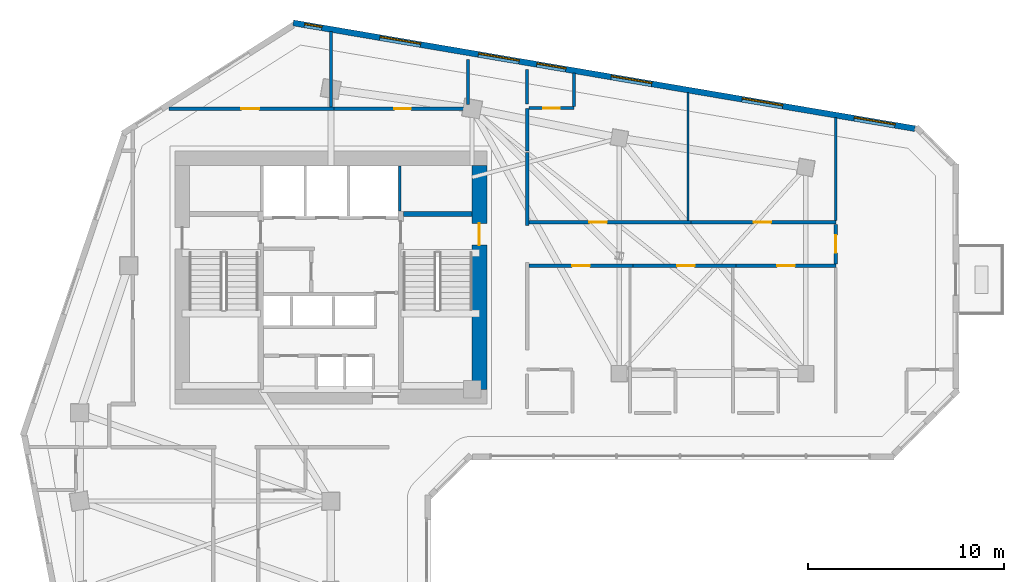
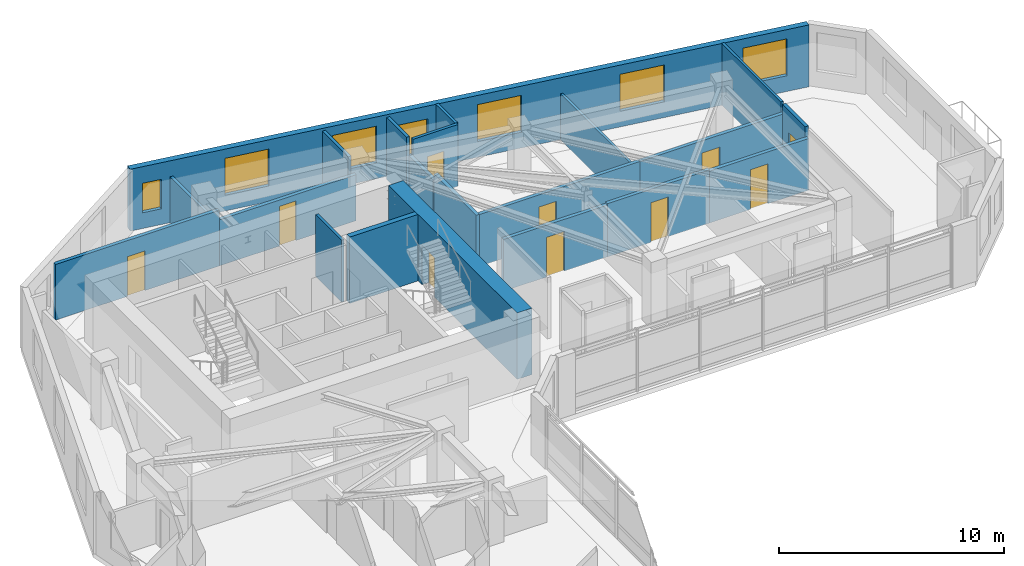
# One storey, part 8 of 14: 21 walls, 10 doors, 7 windows, 17 openings.
"""IFC4 building model written with IfcOpenShell, lengths in metres."""

from ifc_helpers import new_model, si_unit, direction, frame, frame_2d, origin, place, context, subcontext, project, spatial, rectangle, extrude, source, transform, mapped, material, layer, layer_set, type_object, element, fill, save


model = new_model("IFC4")

# Units and contexts
model_context = context("Model", 3, precision=1e-05, world=origin(), true_north=direction((0.0, 1.0)))
body_context = subcontext(model_context, "Body", "Model", "MODEL_VIEW")
ifc_project = project(units=[si_unit("LENGTHUNIT", "METRE"), si_unit("AREAUNIT", "SQUARE_METRE"), si_unit("VOLUMEUNIT", "CUBIC_METRE"), si_unit("PLANEANGLEUNIT", "RADIAN"), si_unit("MASSUNIT", "GRAM", prefix="KILO")], contexts=[model_context])

# Site, building, storey
site_placement = place(None, origin())
site = spatial("IfcSite", under=ifc_project, at=site_placement, CompositionType="ELEMENT")
building_placement = place(site_placement, origin())
building = spatial("IfcBuilding", under=site, at=building_placement, Name="Calvemar Wedge Station Tower", CompositionType="ELEMENT")
storey_placement = place(building_placement, frame((0.0, 0.0, 128.60009765625)))
storey = spatial("IfcBuildingStorey", under=building, at=storey_placement, Name="L31", CompositionType="ELEMENT", Elevation=128.60009765625)

# Wall
ifc_material_1 = material(Name="Concrete C50", Category="concrete")
ifc_layer_1 = layer(ifc_material_1, 0.260009765625)
ifc_layer_set_1 = layer_set([ifc_layer_1], Name="Concrete C50")
wall_type_1 = type_object("IfcWallType", Name="SW-CORE-260", PredefinedType="SHEAR", material=ifc_layer_set_1)
wall_1_placement = place(storey_placement, frame((27.5, 43.1298828125, 0.0), z_axis=(0.0, 0.0, 1.0), x_axis=(1.0, 0.0, 0.0)))
element("IfcWall", 1, at=wall_1_placement, inside=storey, type_object=wall_type_1, Name="Storey L31 Core Shear Wall STC2-N", PredefinedType="SHEAR", context=body_context, shape_type="SweptSolid", body=[
    extrude(rectangle(XDim=3.5, YDim=0.260009765625, at=frame_2d((1.75, 0.0))), origin(), (0.0, 0.0, 1.0), 3.599853515625),
])

# Wall, opening, door
ifc_material_2 = material(Name="Concrete C70", Category="concrete")
ifc_layer_2 = layer(ifc_material_2, 0.75)
ifc_layer_set_2 = layer_set([ifc_layer_2], Name="Concrete C70")
wall_type_2 = type_object("IfcWallType", Name="SW-CORE-750", PredefinedType="SHEAR", material=ifc_layer_set_2)
wall_2_placement = place(storey_placement, frame((31.375, 34.199951171875, 0.0), z_axis=(0.0, 0.0, 1.0), x_axis=(0.0, 1.0, 0.0)))
wall_2 = element("IfcWall", 2, at=wall_2_placement, inside=storey, type_object=wall_type_2, Name="Storey L31 Core Shear Wall E", PredefinedType="SHEAR", context=body_context, shape_type="SweptSolid", body=[
    extrude(rectangle(XDim=11.400146484375, YDim=0.75, at=frame_2d((5.7001953125, 0.0))), origin(), (0.0, 0.0, 1.0), 3.599853515625),
])
shared_shape_1 = source(origin(), body_context, "Body", "SweptSolid", [
    extrude(rectangle(XDim=1.10009765625, YDim=2.14990234375, at=frame_2d((0.550048828125, 1.074951171875))), frame((0.0, 0.385009765625, 0.0), z_axis=(0.0, -1.0, 0.0), x_axis=(1.0, 0.0, 0.0)), (0.0, 0.0, 1.0), 0.77001953125),
])
opening_1_placement = place(wall_2_placement, frame((7.35009765625, 0.0, 0.0)))
opening_1 = element("IfcOpeningElement", 3, at=opening_1_placement, cuts=wall_2, Name="Opening FD-90", PredefinedType="OPENING", context=body_context, shape_type="MappedRepresentation", body=[
    mapped(shared_shape_1, transform((0.0, 0.0, 0.0), scale=1.0)),
])
ifc_material_3 = material(Name="Galvanized fire-rated steel door leaf P-90", Category="steel")
door_type_1 = type_object("IfcDoorType", Name="DR-FD90-1100", OperationType="NOTDEFINED", PredefinedType="DOOR", material=ifc_material_3)
shared_shape_2 = source(origin(), body_context, "Body", "SweptSolid", [
    extrude(rectangle(XDim=1.10009765625, YDim=2.14990234375, at=frame_2d((0.550048828125, 1.074951171875))), frame((0.0, 0.02490234375, 0.0), z_axis=(0.0, -1.0, 0.0), x_axis=(1.0, 0.0, 0.0)), (0.0, 0.0, 1.0), 0.050048828125),
])
door_1_placement = place(opening_1_placement, origin())
door_1 = element("IfcDoor", 4, at=door_1_placement, inside=storey, type_object=door_type_1, Name="L31 East Corridor to Exit Stair ST-C2 Door", OperationType="SINGLE_SWING_LEFT", OverallHeight=2.14990234375, OverallWidth=1.10009765625, PredefinedType="DOOR", context=body_context, shape_type="MappedRepresentation", body=[
    mapped(shared_shape_2, transform((0.0, 0.0, 0.0), scale=1.0)),
])
fill(opening_1, door_1)

ifc_material_4 = material(Name="Double-stud fire-rated corridor partition")
ifc_layer_3 = layer(ifc_material_4, 0.179931640625)
ifc_layer_set_3 = layer_set([ifc_layer_3], Name="Double-stud fire-rated corridor partition")
wall_type_3 = type_object("IfcWallType", Name="W-CORR-180", PredefinedType="PARTITIONING", material=ifc_layer_set_3)
wall_3_placement = place(storey_placement, frame((15.552490234375, 48.5, 0.0), z_axis=(0.0, 0.0, 1.0), x_axis=(1.0, 0.0, 0.0)))
wall_3 = element("IfcWall", 5, at=wall_3_placement, inside=storey, type_object=wall_type_3, Name="Storey L31 Interior Partition WL-L31-012", PredefinedType="PARTITIONING", context=body_context, shape_type="SweptSolid", body=[
    extrude(rectangle(XDim=8.407470703125, YDim=0.179931640625, at=frame_2d((4.20361328125, 0.0))), origin(), (0.0, 0.0, 1.0), 3.018798828125),
])
shared_shape_3 = source(origin(), body_context, "Body", "SweptSolid", [
    extrude(rectangle(XDim=0.89990234375, YDim=2.14990234375, at=frame_2d((0.449951171875, 1.074951171875))), frame((0.0, 0.10009765625, 0.0), z_axis=(0.0, -1.0, 0.0), x_axis=(1.0, 0.0, 0.0)), (0.0, 0.0, 1.0), 0.199951171875),
])
opening_2_placement = place(wall_3_placement, frame((3.69287109375, 0.0, 0.0)))
opening_2 = element("IfcOpeningElement", 6, at=opening_2_placement, cuts=wall_3, Name="Opening D-01", PredefinedType="OPENING", context=body_context, shape_type="MappedRepresentation", body=[
    mapped(shared_shape_3, transform((0.0, 0.0, 0.0), scale=1.0)),
])
ifc_material_5 = material(Name="Architectural hardwood acoustic swing door", Category="wood")
door_type_2 = type_object("IfcDoorType", Name="DR-INT-900", OperationType="NOTDEFINED", PredefinedType="DOOR", material=ifc_material_5)
shared_shape_4 = source(origin(), body_context, "Body", "SweptSolid", [
    extrude(rectangle(XDim=0.89990234375, YDim=2.14990234375, at=frame_2d((0.449951171875, 1.074951171875))), frame((0.0, 0.02490234375, 0.0), z_axis=(0.0, -1.0, 0.0), x_axis=(1.0, 0.0, 0.0)), (0.0, 0.0, 1.0), 0.050048828125),
])
door_2_placement = place(opening_2_placement, origin())
door_2 = element("IfcDoor", 7, at=door_2_placement, inside=storey, type_object=door_type_2, Name="L31 Business Centre Door", OperationType="SINGLE_SWING_RIGHT", OverallHeight=2.14990234375, OverallWidth=0.89990234375, PredefinedType="DOOR", context=body_context, shape_type="MappedRepresentation", body=[
    mapped(shared_shape_4, transform((0.0, 0.0, 0.0), scale=1.0)),
])
fill(opening_2, door_2)

wall_4_placement = place(storey_placement, frame((23.9619140625, 48.5, 0.0), z_axis=(0.0, 0.0, 1.0), x_axis=(1.0, 0.0, 0.0)))
wall_4 = element("IfcWall", 8, at=wall_4_placement, inside=storey, type_object=wall_type_3, Name="Storey L31 Interior Partition WL-L31-013", PredefinedType="PARTITIONING", context=body_context, shape_type="SweptSolid", body=[
    extrude(rectangle(XDim=6.998046875, YDim=0.179931640625, at=frame_2d((3.4990234375, 0.0))), origin(), (0.0, 0.0, 1.0), 2.491943359375),
])
shared_shape_5 = source(origin(), body_context, "Body", "SweptSolid", [
    extrude(rectangle(XDim=0.85009765625, YDim=2.14990234375, at=frame_2d((0.425048828125, 1.074951171875))), frame((0.0, 0.10009765625, 0.0), z_axis=(0.0, -1.0, 0.0), x_axis=(1.0, 0.0, 0.0)), (0.0, 0.0, 1.0), 0.199951171875),
])
opening_3_placement = place(wall_4_placement, frame((3.073974609375, 0.0, 0.0)))
opening_3 = element("IfcOpeningElement", 9, at=opening_3_placement, cuts=wall_4, Name="Opening D-02", PredefinedType="OPENING", context=body_context, shape_type="MappedRepresentation", body=[
    mapped(shared_shape_5, transform((0.0, 0.0, 0.0), scale=1.0)),
])
ifc_material_6 = material(Name="Moisture-sealed bathroom hardwood swing door", Category="wood")
door_type_3 = type_object("IfcDoorType", Name="DR-WET-850", OperationType="NOTDEFINED", PredefinedType="DOOR", material=ifc_material_6)
shared_shape_6 = source(origin(), body_context, "Body", "SweptSolid", [
    extrude(rectangle(XDim=0.85009765625, YDim=2.14990234375, at=frame_2d((0.425048828125, 1.074951171875))), frame((0.0, 0.02490234375, 0.0), z_axis=(0.0, -1.0, 0.0), x_axis=(1.0, 0.0, 0.0)), (0.0, 0.0, 1.0), 0.050048828125),
])
door_3_placement = place(opening_3_placement, origin())
door_3 = element("IfcDoor", 10, at=door_3_placement, inside=storey, type_object=door_type_3, Name="L31 Accessible WC Door", OperationType="SINGLE_SWING_LEFT", OverallHeight=2.14990234375, OverallWidth=0.85009765625, PredefinedType="DOOR", context=body_context, shape_type="MappedRepresentation", body=[
    mapped(shared_shape_6, transform((0.0, 0.0, 0.0), scale=1.0)),
])
fill(opening_3, door_3)

# Walls
wall_5_placement = place(storey_placement, frame((33.800048828125, 48.5, 0.0), z_axis=(0.0, 0.0, 1.0), x_axis=(0.0, -1.0, 0.0)))
element("IfcWall", 11, at=wall_5_placement, inside=storey, type_object=wall_type_3, Name="Storey L31 Interior Partition WL-L31-014", PredefinedType="PARTITIONING", context=body_context, shape_type="SweptSolid", body=[
    extrude(rectangle(XDim=2.14990234375, YDim=0.179931640625, at=frame_2d((1.074951171875, 0.0))), origin(), (0.0, 0.0, 1.0), 2.491943359375),
])
wall_6_placement = place(storey_placement, frame((33.800048828125, 46.256103515625, 0.0), z_axis=(0.0, 0.0, 1.0), x_axis=(0.0, -1.0, 0.0)))
element("IfcWall", 12, at=wall_6_placement, inside=storey, type_object=wall_type_3, Name="Storey L31 Interior Partition WL-L31-016", PredefinedType="PARTITIONING", context=body_context, shape_type="SweptSolid", body=[
    extrude(rectangle(XDim=3.716064453125, YDim=0.179931640625, at=frame_2d((1.85791015625, 0.0))), origin(), (0.0, 0.0, 1.0), 2.87890625),
])

# Wall, opening, door
wall_7_placement = place(storey_placement, frame((39.205078125, 40.5, 0.0), z_axis=(0.0, 0.0, 1.0), x_axis=(-1.0, 0.0, 0.0)))
wall_7 = element("IfcWall", 13, at=wall_7_placement, inside=storey, type_object=wall_type_3, Name="Storey L31 Interior Partition WL-L31-020", PredefinedType="PARTITIONING", context=body_context, shape_type="SweptSolid", body=[
    extrude(rectangle(XDim=5.31103515625, YDim=0.179931640625, at=frame_2d((2.655517578125, 0.0))), origin(), (0.0, 0.0, 1.0), 2.802978515625),
])
opening_4_placement = place(wall_7_placement, frame((2.20556640625, 0.0, 0.0)))
opening_4 = element("IfcOpeningElement", 14, at=opening_4_placement, cuts=wall_7, Name="Opening FD-60", PredefinedType="OPENING", context=body_context, shape_type="MappedRepresentation", body=[
    mapped(shared_shape_3, transform((0.0, 0.0, 0.0), scale=1.0)),
])
ifc_material_7 = material(Name="Fire-rated acoustic timber-core entrance door EI 60", Category="wood")
door_type_4 = type_object("IfcDoorType", Name="DR-FD60-900", OperationType="NOTDEFINED", PredefinedType="DOOR", material=ifc_material_7)
shared_shape_7 = source(origin(), body_context, "Body", "SweptSolid", [
    extrude(rectangle(XDim=0.89990234375, YDim=2.14990234375, at=frame_2d((0.449951171875, 1.074951171875))), frame((0.0, 0.02490234375, 0.0), z_axis=(0.0, -1.0, 0.0), x_axis=(1.0, 0.0, 0.0)), (0.0, 0.0, 1.0), 0.050048828125),
])
door_4_placement = place(opening_4_placement, origin())
door_4 = element("IfcDoor", 15, at=door_4_placement, inside=storey, type_object=door_type_4, Name="L31 Hotel Guest Room Door", OperationType="SINGLE_SWING_LEFT", OverallHeight=2.14990234375, OverallWidth=0.89990234375, PredefinedType="DOOR", context=body_context, shape_type="MappedRepresentation", body=[
    mapped(shared_shape_7, transform((0.0, 0.0, 0.0), scale=1.0)),
])
fill(opening_4, door_4)

wall_8_placement = place(storey_placement, frame((44.449951171875, 40.5, 0.0), z_axis=(0.0, 0.0, 1.0), x_axis=(-1.0, 0.0, 0.0)))
wall_8 = element("IfcWall", 16, at=wall_8_placement, inside=storey, type_object=wall_type_3, Name="Storey L31 Interior Partition WL-L31-021", PredefinedType="PARTITIONING", context=body_context, shape_type="SweptSolid", body=[
    extrude(rectangle(XDim=5.242919921875, YDim=0.179931640625, at=frame_2d((2.62158203125, 0.0))), origin(), (0.0, 0.0, 1.0), 2.87890625),
])
opening_5_placement = place(wall_8_placement, frame((2.110595703125, 0.0, 0.0)))
opening_5 = element("IfcOpeningElement", 17, at=opening_5_placement, cuts=wall_8, Name="Opening FD-60", PredefinedType="OPENING", context=body_context, shape_type="MappedRepresentation", body=[
    mapped(shared_shape_3, transform((0.0, 0.0, 0.0), scale=1.0)),
])
door_5_placement = place(opening_5_placement, origin())
door_5 = element("IfcDoor", 18, at=door_5_placement, inside=storey, type_object=door_type_4, Name="L31 Hotel Guest Room Door", OperationType="SINGLE_SWING_LEFT", OverallHeight=2.14990234375, OverallWidth=0.89990234375, PredefinedType="DOOR", context=body_context, shape_type="MappedRepresentation", body=[
    mapped(shared_shape_7, transform((0.0, 0.0, 0.0), scale=1.0)),
])
fill(opening_5, door_5)

wall_9_placement = place(storey_placement, frame((49.534912109375, 40.5, 0.0), z_axis=(0.0, 0.0, 1.0), x_axis=(-1.0, 0.0, 0.0)))
wall_9 = element("IfcWall", 19, at=wall_9_placement, inside=storey, type_object=wall_type_3, Name="Storey L31 Interior Partition WL-L31-022", PredefinedType="PARTITIONING", context=body_context, shape_type="SweptSolid", body=[
    extrude(rectangle(XDim=5.0830078125, YDim=0.179931640625, at=frame_2d((2.54150390625, 0.0))), origin(), (0.0, 0.0, 1.0), 2.802978515625),
])
opening_6_placement = place(wall_9_placement, frame((2.091552734375, 0.0, 0.0)))
opening_6 = element("IfcOpeningElement", 20, at=opening_6_placement, cuts=wall_9, Name="Opening FD-60", PredefinedType="OPENING", context=body_context, shape_type="MappedRepresentation", body=[
    mapped(shared_shape_3, transform((0.0, 0.0, 0.0), scale=1.0)),
])
door_6_placement = place(opening_6_placement, origin())
door_6 = element("IfcDoor", 21, at=door_6_placement, inside=storey, type_object=door_type_4, Name="L31 Hotel Guest Room Door", OperationType="SINGLE_SWING_LEFT", OverallHeight=2.14990234375, OverallWidth=0.89990234375, PredefinedType="DOOR", context=body_context, shape_type="MappedRepresentation", body=[
    mapped(shared_shape_7, transform((0.0, 0.0, 0.0), scale=1.0)),
])
fill(opening_6, door_6)

wall_10_placement = place(storey_placement, frame((33.89404296875, 42.699951171875, 0.0), z_axis=(0.0, 0.0, 1.0), x_axis=(1.0, 0.0, 0.0)))
wall_10 = element("IfcWall", 22, at=wall_10_placement, inside=storey, type_object=wall_type_3, Name="Storey L31 Interior Partition WL-L31-023", PredefinedType="PARTITIONING", context=body_context, shape_type="SweptSolid", body=[
    extrude(rectangle(XDim=8.265869140625, YDim=0.179931640625, at=frame_2d((4.1328125, 0.0))), origin(), (0.0, 0.0, 1.0), 2.802978515625),
])
opening_7_placement = place(wall_10_placement, frame((3.0751953125, 0.0, 0.0)))
opening_7 = element("IfcOpeningElement", 23, at=opening_7_placement, cuts=wall_10, Name="Opening FD-60", PredefinedType="OPENING", context=body_context, shape_type="MappedRepresentation", body=[
    mapped(shared_shape_3, transform((0.0, 0.0, 0.0), scale=1.0)),
])
door_7_placement = place(opening_7_placement, origin())
door_7 = element("IfcDoor", 24, at=door_7_placement, inside=storey, type_object=door_type_4, Name="L31 Hotel Suite Door", OperationType="SINGLE_SWING_LEFT", OverallHeight=2.14990234375, OverallWidth=0.89990234375, PredefinedType="DOOR", context=body_context, shape_type="MappedRepresentation", body=[
    mapped(shared_shape_7, transform((0.0, 0.0, 0.0), scale=1.0)),
])
fill(opening_7, door_7)

wall_11_placement = place(storey_placement, frame((42.162109375, 42.699951171875, 0.0), z_axis=(0.0, 0.0, 1.0), x_axis=(1.0, 0.0, 0.0)))
wall_11 = element("IfcWall", 25, at=wall_11_placement, inside=storey, type_object=wall_type_3, Name="Storey L31 Interior Partition WL-L31-024", PredefinedType="PARTITIONING", context=body_context, shape_type="SweptSolid", body=[
    extrude(rectangle(XDim=7.372802734375, YDim=0.179931640625, at=frame_2d((3.6865234375, 0.0))), origin(), (0.0, 0.0, 1.0), 2.802978515625),
])
opening_8_placement = place(wall_11_placement, frame((3.17626953125, 0.0, 0.0)))
opening_8 = element("IfcOpeningElement", 26, at=opening_8_placement, cuts=wall_11, Name="Opening D-01", PredefinedType="OPENING", context=body_context, shape_type="MappedRepresentation", body=[
    mapped(shared_shape_3, transform((0.0, 0.0, 0.0), scale=1.0)),
])
door_8_placement = place(opening_8_placement, origin())
door_8 = element("IfcDoor", 27, at=door_8_placement, inside=storey, type_object=door_type_2, Name="L31 Fitness Studio Door", OperationType="SINGLE_SWING_RIGHT", OverallHeight=2.14990234375, OverallWidth=0.89990234375, PredefinedType="DOOR", context=body_context, shape_type="MappedRepresentation", body=[
    mapped(shared_shape_4, transform((0.0, 0.0, 0.0), scale=1.0)),
])
fill(opening_8, door_8)

wall_12_placement = place(storey_placement, frame((49.534912109375, 42.60595703125, 0.0), z_axis=(0.0, 0.0, 1.0), x_axis=(0.0, -1.0, 0.0)))
wall_12 = element("IfcWall", 28, at=wall_12_placement, inside=storey, type_object=wall_type_3, Name="Storey L31 Interior Partition WL-L31-025", PredefinedType="PARTITIONING", context=body_context, shape_type="SweptSolid", body=[
    extrude(rectangle(XDim=2.011962890625, YDim=0.179931640625, at=frame_2d((1.005859375, 0.0))), origin(), (0.0, 0.0, 1.0), 3.349853515625),
])
opening_9_placement = place(wall_12_placement, frame((0.555908203125, 0.0, 0.0)))
opening_9 = element("IfcOpeningElement", 29, at=opening_9_placement, cuts=wall_12, Name="Opening FD-60", PredefinedType="OPENING", context=body_context, shape_type="MappedRepresentation", body=[
    mapped(shared_shape_3, transform((0.0, 0.0, 0.0), scale=1.0)),
])
door_9_placement = place(opening_9_placement, origin())
door_9 = element("IfcDoor", 30, at=door_9_placement, inside=storey, type_object=door_type_4, Name="L31 Hotel Suite Door", OperationType="SINGLE_SWING_RIGHT", OverallHeight=2.14990234375, OverallWidth=0.89990234375, PredefinedType="DOOR", context=body_context, shape_type="MappedRepresentation", body=[
    mapped(shared_shape_7, transform((0.0, 0.0, 0.0), scale=1.0)),
])
fill(opening_9, door_9)

# Wall, openings, windows
ifc_material_8 = material(Name="Precast concrete C45", Category="concrete")
ifc_layer_4 = layer(ifc_material_8, 0.300048828125)
ifc_layer_set_4 = layer_set([ifc_layer_4], Name="Precast concrete C45")
wall_type_4 = type_object("IfcWallType", Name="W-EXT-GFRC-300", PredefinedType="SOLIDWALL", material=ifc_layer_set_4)
wall_13_placement = place(storey_placement, frame((53.56103515625, 47.48046875, 0.0), z_axis=(0.0, 0.0, 1.0), x_axis=(-0.985845173895, 0.167658262868, 0.0)))
wall_13 = element("IfcWall", 31, at=wall_13_placement, inside=storey, type_object=wall_type_4, Name="Storey L31 Bronze GFRC Exterior Wall 10", PredefinedType="SOLIDWALL", context=body_context, shape_type="SweptSolid", body=[
    extrude(rectangle(XDim=32.132080078125, YDim=0.300048828125, at=frame_2d((16.06591796875, 0.0))), origin(), (0.0, 0.0, 1.0), 3.349853515625),
])
shared_shape_8 = source(origin(), body_context, "Body", "SweptSolid", [
    extrude(rectangle(XDim=2.10009765625, YDim=2.0, at=frame_2d((1.050048828125, 1.0))), frame((0.0, 0.16015625, 0.0), z_axis=(0.0, -1.0, 0.0), x_axis=(1.0, 0.0, 0.0)), (0.0, 0.0, 1.0), 0.320068359375),
])
opening_10_placement = place(wall_13_placement, frame((1.031982421875, 0.0, 0.85009765625)))
opening_10 = element("IfcOpeningElement", 32, at=opening_10_placement, cuts=wall_13, Name="Opening W4", PredefinedType="OPENING", context=body_context, shape_type="MappedRepresentation", body=[
    mapped(shared_shape_8, transform((0.0, 0.0, 0.0), scale=1.0)),
])
opening_11_placement = place(wall_13_placement, frame((6.8359375, 0.0, 0.85009765625)))
opening_11 = element("IfcOpeningElement", 33, at=opening_11_placement, cuts=wall_13, Name="Opening W4", PredefinedType="OPENING", context=body_context, shape_type="MappedRepresentation", body=[
    mapped(shared_shape_8, transform((0.0, 0.0, 0.0), scale=1.0)),
])
opening_12_placement = place(wall_13_placement, frame((13.59912109375, 0.0, 0.85009765625)))
opening_12 = element("IfcOpeningElement", 34, at=opening_12_placement, cuts=wall_13, Name="Opening W4", PredefinedType="OPENING", context=body_context, shape_type="MappedRepresentation", body=[
    mapped(shared_shape_8, transform((0.0, 0.0, 0.0), scale=1.0)),
])
shared_shape_9 = source(origin(), body_context, "Body", "SweptSolid", [
    extrude(rectangle(XDim=1.5, YDim=1.800048828125, at=frame_2d((0.75, 0.89990234375))), frame((0.0, 0.16015625, 0.0), z_axis=(0.0, -1.0, 0.0), x_axis=(1.0, 0.0, 0.0)), (0.0, 0.0, 1.0), 0.320068359375),
])
opening_13_placement = place(wall_13_placement, frame((18.0390625, 0.0, 0.85009765625)))
opening_13 = element("IfcOpeningElement", 35, at=opening_13_placement, cuts=wall_13, Name="Opening W3", PredefinedType="OPENING", context=body_context, shape_type="MappedRepresentation", body=[
    mapped(shared_shape_9, transform((0.0, 0.0, 0.0), scale=1.0)),
])
opening_14_placement = place(wall_13_placement, frame((20.458984375, 0.0, 0.85009765625)))
opening_14 = element("IfcOpeningElement", 36, at=opening_14_placement, cuts=wall_13, Name="Opening W4", PredefinedType="OPENING", context=body_context, shape_type="MappedRepresentation", body=[
    mapped(shared_shape_8, transform((0.0, 0.0, 0.0), scale=1.0)),
])
opening_15_placement = place(wall_13_placement, frame((25.550048828125, 0.0, 0.85009765625)))
opening_15 = element("IfcOpeningElement", 37, at=opening_15_placement, cuts=wall_13, Name="Opening W4", PredefinedType="OPENING", context=body_context, shape_type="MappedRepresentation", body=[
    mapped(shared_shape_8, transform((0.0, 0.0, 0.0), scale=1.0)),
])
shared_shape_10 = source(origin(), body_context, "Body", "SweptSolid", [
    extrude(rectangle(XDim=0.89990234375, YDim=1.60009765625, at=frame_2d((0.449951171875, 0.800048828125))), frame((0.0, 0.16015625, 0.0), z_axis=(0.0, -1.0, 0.0), x_axis=(1.0, 0.0, 0.0)), (0.0, 0.0, 1.0), 0.320068359375),
])
opening_16_placement = place(wall_13_placement, frame((30.64990234375, 0.0, 0.85009765625)))
opening_16 = element("IfcOpeningElement", 38, at=opening_16_placement, cuts=wall_13, Name="Opening W7", PredefinedType="OPENING", context=body_context, shape_type="MappedRepresentation", body=[
    mapped(shared_shape_10, transform((0.0, 0.0, 0.0), scale=1.0)),
])
ifc_material_9 = material(Name="Low-E laminated insulated glass", Category="glass")
window_type_1 = type_object("IfcWindowType", Name="WIN-EXT-4", PartitioningType="SINGLE_PANEL", PredefinedType="WINDOW", material=ifc_material_9)
shared_shape_11 = source(origin(), body_context, "Body", "SweptSolid", [
    extrude(rectangle(XDim=2.10009765625, YDim=2.0, at=frame_2d((1.050048828125, 1.0))), frame((0.0, -0.014892578125, 0.0), z_axis=(0.0, -1.0, 0.0), x_axis=(1.0, 0.0, 0.0)), (0.0, 0.0, 1.0), 0.06005859375),
])
window_1_placement = place(opening_10_placement, origin())
window_1 = element("IfcWindow", 39, at=window_1_placement, inside=storey, type_object=window_type_1, Name="Storey L31 Recessed Window 10.1", OverallHeight=2.0, OverallWidth=2.10009765625, PartitioningType="SINGLE_PANEL", PredefinedType="WINDOW", context=body_context, shape_type="MappedRepresentation", body=[
    mapped(shared_shape_11, transform((0.0, 0.0, 0.0), scale=1.0)),
])
fill(opening_10, window_1)
window_2_placement = place(opening_11_placement, origin())
window_2 = element("IfcWindow", 40, at=window_2_placement, inside=storey, type_object=window_type_1, Name="Storey L31 Recessed Window 10.2", OverallHeight=2.0, OverallWidth=2.10009765625, PartitioningType="SINGLE_PANEL", PredefinedType="WINDOW", context=body_context, shape_type="MappedRepresentation", body=[
    mapped(shared_shape_11, transform((0.0, 0.0, 0.0), scale=1.0)),
])
fill(opening_11, window_2)
window_3_placement = place(opening_12_placement, origin())
window_3 = element("IfcWindow", 41, at=window_3_placement, inside=storey, type_object=window_type_1, Name="Storey L31 Recessed Window 10.3", OverallHeight=2.0, OverallWidth=2.10009765625, PartitioningType="SINGLE_PANEL", PredefinedType="WINDOW", context=body_context, shape_type="MappedRepresentation", body=[
    mapped(shared_shape_11, transform((0.0, 0.0, 0.0), scale=1.0)),
])
fill(opening_12, window_3)
window_4_placement = place(opening_14_placement, origin())
window_4 = element("IfcWindow", 42, at=window_4_placement, inside=storey, type_object=window_type_1, Name="Storey L31 Recessed Window 10.5", OverallHeight=2.0, OverallWidth=2.10009765625, PartitioningType="SINGLE_PANEL", PredefinedType="WINDOW", context=body_context, shape_type="MappedRepresentation", body=[
    mapped(shared_shape_11, transform((0.0, 0.0, 0.0), scale=1.0)),
])
fill(opening_14, window_4)
window_5_placement = place(opening_15_placement, origin())
window_5 = element("IfcWindow", 43, at=window_5_placement, inside=storey, type_object=window_type_1, Name="Storey L31 Recessed Window 10.6", OverallHeight=2.0, OverallWidth=2.10009765625, PartitioningType="SINGLE_PANEL", PredefinedType="WINDOW", context=body_context, shape_type="MappedRepresentation", body=[
    mapped(shared_shape_11, transform((0.0, 0.0, 0.0), scale=1.0)),
])
fill(opening_15, window_5)
window_type_2 = type_object("IfcWindowType", Name="WIN-EXT-3", PartitioningType="SINGLE_PANEL", PredefinedType="WINDOW", material=ifc_material_9)
shared_shape_12 = source(origin(), body_context, "Body", "SweptSolid", [
    extrude(rectangle(XDim=1.5, YDim=1.800048828125, at=frame_2d((0.75, 0.89990234375))), frame((0.0, -0.014892578125, 0.0), z_axis=(0.0, -1.0, 0.0), x_axis=(1.0, 0.0, 0.0)), (0.0, 0.0, 1.0), 0.06005859375),
])
window_6_placement = place(opening_13_placement, origin())
window_6 = element("IfcWindow", 44, at=window_6_placement, inside=storey, type_object=window_type_2, Name="Storey L31 Recessed Window 10.4", OverallHeight=1.800048828125, OverallWidth=1.5, PartitioningType="SINGLE_PANEL", PredefinedType="WINDOW", context=body_context, shape_type="MappedRepresentation", body=[
    mapped(shared_shape_12, transform((0.0, 0.0, 0.0), scale=1.0)),
])
fill(opening_13, window_6)
window_type_3 = type_object("IfcWindowType", Name="WIN-EXT-7", PartitioningType="SINGLE_PANEL", PredefinedType="WINDOW", material=ifc_material_9)
shared_shape_13 = source(origin(), body_context, "Body", "SweptSolid", [
    extrude(rectangle(XDim=0.89990234375, YDim=1.60009765625, at=frame_2d((0.449951171875, 0.800048828125))), frame((0.0, -0.014892578125, 0.0), z_axis=(0.0, -1.0, 0.0), x_axis=(1.0, 0.0, 0.0)), (0.0, 0.0, 1.0), 0.06005859375),
])
window_7_placement = place(opening_16_placement, origin())
window_7 = element("IfcWindow", 45, at=window_7_placement, inside=storey, type_object=window_type_3, Name="Storey L31 Recessed Window 10.7", OverallHeight=1.60009765625, OverallWidth=0.89990234375, PartitioningType="SINGLE_PANEL", PredefinedType="WINDOW", context=body_context, shape_type="MappedRepresentation", body=[
    mapped(shared_shape_13, transform((0.0, 0.0, 0.0), scale=1.0)),
])
fill(opening_16, window_7)

# Walls
ifc_material_10 = material(Name="Reinforced concrete blockwork lift shaft wall", Category="masonry")
ifc_layer_5 = layer(ifc_material_10, 0.139892578125)
ifc_layer_set_5 = layer_set([ifc_layer_5], Name="Reinforced concrete blockwork lift shaft wall")
wall_type_5 = type_object("IfcWallType", Name="W-LIFT-160", PredefinedType="SOLIDWALL", material=ifc_layer_set_5)
wall_14_placement = place(storey_placement, frame((27.31005859375, 43.280029296875, 0.0), z_axis=(0.0, 0.0, 1.0), x_axis=(0.0, 1.0, 0.0)))
element("IfcWall", 46, at=wall_14_placement, inside=storey, type_object=wall_type_5, Name="Storey L31 Firefighting Lift Shaft Enclosure Wall E", PredefinedType="SOLIDWALL", context=body_context, shape_type="SweptSolid", body=[
    extrude(rectangle(XDim=2.300048828125, YDim=0.139892578125, at=frame_2d((1.14990234375, 0.0))), origin(), (0.0, 0.0, 1.0), 3.349853515625),
])
ifc_material_11 = material(Name="Insulated acoustic gypsum stud partition")
ifc_layer_6 = layer(ifc_material_11, 0.125)
ifc_layer_set_6 = layer_set([ifc_layer_6], Name="Insulated acoustic gypsum stud partition")
wall_type_6 = type_object("IfcWallType", Name="W-PART-125", PredefinedType="PARTITIONING", material=ifc_layer_set_6)
wall_15_placement = place(storey_placement, frame((42.0, 49.329833984375, 0.0), z_axis=(0.0, 0.0, 1.0), x_axis=(0.0, -1.0, 0.0)))
element("IfcWall", 47, at=wall_15_placement, inside=storey, type_object=wall_type_6, Name="Storey L31 Interior Partition WL-L31-039", PredefinedType="PARTITIONING", context=body_context, shape_type="SweptSolid", body=[
    extrude(rectangle(XDim=6.535888671875, YDim=0.125, at=frame_2d((3.26806640625, 0.0))), origin(), (0.0, 0.0, 1.0), 2.491943359375),
])
wall_16_placement = place(storey_placement, frame((49.534912109375, 48.048583984375, 0.0), z_axis=(0.0, 0.0, 1.0), x_axis=(0.0, -1.0, 0.0)))
element("IfcWall", 48, at=wall_16_placement, inside=storey, type_object=wall_type_6, Name="Storey L31 Interior Partition WL-L31-040", PredefinedType="PARTITIONING", context=body_context, shape_type="SweptSolid", body=[
    extrude(rectangle(XDim=5.254638671875, YDim=0.125, at=frame_2d((2.62744140625, 0.0))), origin(), (0.0, 0.0, 1.0), 3.349853515625),
])
ifc_material_12 = material(Name="Moisture-resistant acoustic bathroom partition")
ifc_layer_7 = layer(ifc_material_12, 0.14990234375)
ifc_layer_set_7 = layer_set([ifc_layer_7], Name="Moisture-resistant acoustic bathroom partition")
wall_type_7 = type_object("IfcWallType", Name="W-WET-150", PredefinedType="PARTITIONING", material=ifc_layer_set_7)
wall_17_placement = place(storey_placement, frame((23.800048828125, 52.425048828125, 0.0), z_axis=(0.0, 0.0, 1.0), x_axis=(0.0, -1.0, 0.0)))
element("IfcWall", 49, at=wall_17_placement, inside=storey, type_object=wall_type_7, Name="Storey L31 Interior Partition WL-L31-019", PredefinedType="PARTITIONING", context=body_context, shape_type="SweptSolid", body=[
    extrude(rectangle(XDim=3.8310546875, YDim=0.14990234375, at=frame_2d((1.91552734375, 0.0))), origin(), (0.0, 0.0, 1.0), 2.491943359375),
])

# Wall, opening, door
wall_18_placement = place(storey_placement, frame((36.199951171875, 48.5244140625, 0.0), z_axis=(0.0, 0.0, 1.0), x_axis=(-1.0, 0.0, 0.0)))
wall_18 = element("IfcWall", 50, at=wall_18_placement, inside=storey, type_object=wall_type_7, Name="Storey L31 Interior Partition WL-L31-037", PredefinedType="PARTITIONING", context=body_context, shape_type="SweptSolid", body=[
    extrude(rectangle(XDim=2.305908203125, YDim=0.14990234375, at=frame_2d((1.15283203125, 0.0))), origin(), (0.0, 0.0, 1.0), 3.349853515625),
])
shared_shape_14 = source(origin(), body_context, "Body", "SweptSolid", [
    extrude(rectangle(XDim=0.85009765625, YDim=2.14990234375, at=frame_2d((0.425048828125, 1.074951171875))), frame((0.0, 0.0849609375, 0.0), z_axis=(0.0, -1.0, 0.0), x_axis=(1.0, 0.0, 0.0)), (0.0, 0.0, 1.0), 0.169921875),
])
opening_17_placement = place(wall_18_placement, frame((0.72802734375, 0.0, 0.0)))
opening_17 = element("IfcOpeningElement", 51, at=opening_17_placement, cuts=wall_18, Name="Opening D-02", PredefinedType="OPENING", context=body_context, shape_type="MappedRepresentation", body=[
    mapped(shared_shape_14, transform((0.0, 0.0, 0.0), scale=1.0)),
])
door_10_placement = place(opening_17_placement, origin())
door_10 = element("IfcDoor", 52, at=door_10_placement, inside=storey, type_object=door_type_3, Name="L31 En-Suite Bathroom Door", OperationType="SINGLE_SWING_RIGHT", OverallHeight=2.14990234375, OverallWidth=0.85009765625, PredefinedType="DOOR", context=body_context, shape_type="MappedRepresentation", body=[
    mapped(shared_shape_6, transform((0.0, 0.0, 0.0), scale=1.0)),
])
fill(opening_17, door_10)

# Walls
wall_19_placement = place(storey_placement, frame((36.199951171875, 50.31640625, 0.0), z_axis=(0.0, 0.0, 1.0), x_axis=(0.0, -1.0, 0.0)))
element("IfcWall", 53, at=wall_19_placement, inside=storey, type_object=wall_type_7, Name="Storey L31 Interior Partition WL-L31-038", PredefinedType="PARTITIONING", context=body_context, shape_type="SweptSolid", body=[
    extrude(rectangle(XDim=1.712890625, YDim=0.14990234375, at=frame_2d((0.8564453125, 0.0))), origin(), (0.0, 0.0, 1.0), 3.349853515625),
])
wall_20_placement = place(storey_placement, frame((30.800048828125, 51.011474609375, 0.0), z_axis=(0.0, 0.0, 1.0), x_axis=(0.0, -1.0, 0.0)))
element("IfcWall", 54, at=wall_20_placement, inside=storey, type_object=wall_type_7, Name="Storey L31 Bathroom Enclosure Wall WL-L31-072", PredefinedType="PARTITIONING", context=body_context, shape_type="SweptSolid", body=[
    extrude(rectangle(XDim=2.29150390625, YDim=0.14990234375, at=frame_2d((1.145751953125, 0.0))), origin(), (0.0, 0.0, 1.0), 3.349853515625),
])
wall_21_placement = place(storey_placement, frame((33.800048828125, 48.72314453125, 0.0), z_axis=(0.0, 0.0, 1.0), x_axis=(0.0, 1.0, 0.0)))
element("IfcWall", 55, at=wall_21_placement, inside=storey, type_object=wall_type_7, Name="Storey L31 Bathroom Enclosure Wall WL-L31-077", PredefinedType="PARTITIONING", context=body_context, shape_type="SweptSolid", body=[
    extrude(rectangle(XDim=1.778076171875, YDim=0.14990234375, at=frame_2d((0.88916015625, 0.0))), origin(), (0.0, 0.0, 1.0), 3.349853515625),
])

save(model, "model.ifc")
